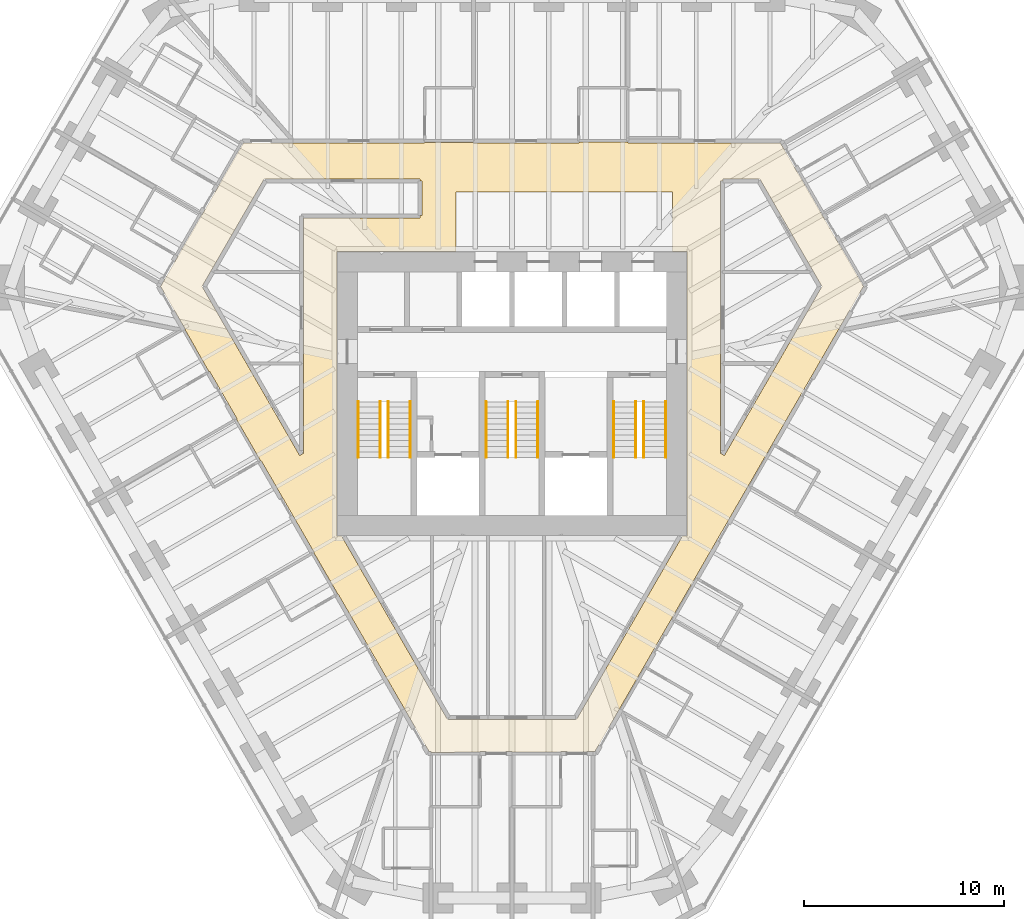
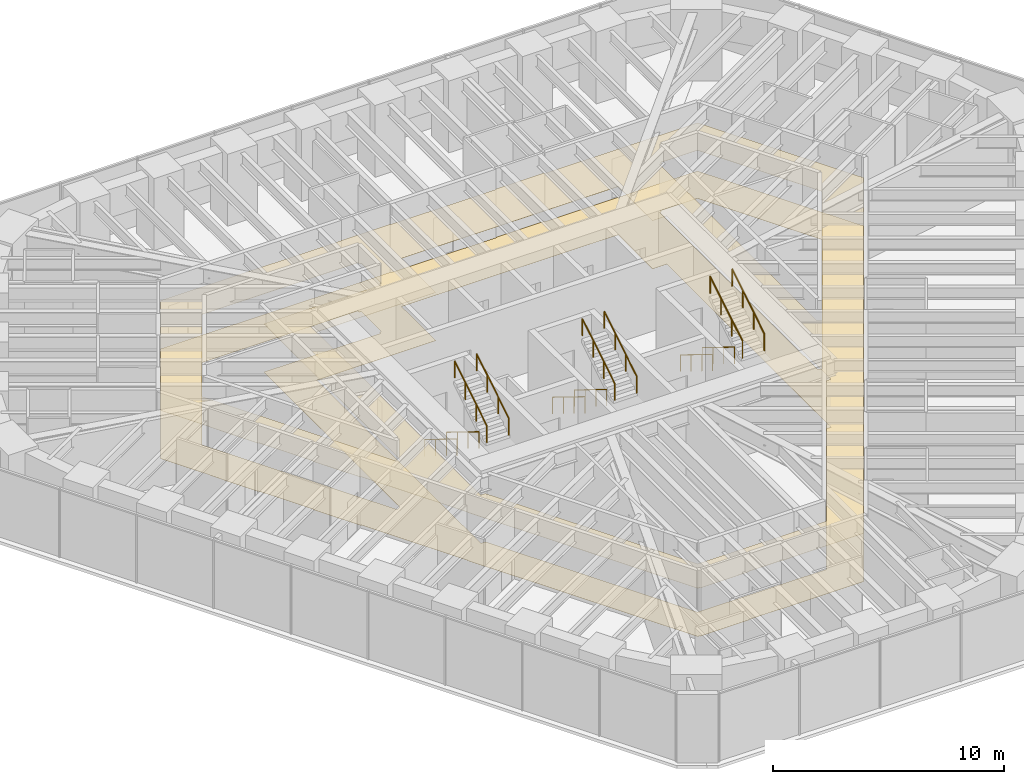
# One storey, part 17 of 17: 12 railings, 2 coverings.
"""IFC4 building model written with IfcOpenShell, lengths in metres."""

from ifc_helpers import new_model, si_unit, direction, frame, origin, origin_2d, place, context, subcontext, project, spatial, polyline, circle, outline, extrude, material, layer, layer_set, type_object, element, save


model = new_model("IFC4")

# Units and contexts
model_context = context("Model", 3, precision=1e-05, world=origin(), true_north=direction((0.0, 1.0)))
body_context = subcontext(model_context, "Body", "Model", "MODEL_VIEW")
ifc_project = project(units=[si_unit("LENGTHUNIT", "METRE"), si_unit("AREAUNIT", "SQUARE_METRE"), si_unit("VOLUMEUNIT", "CUBIC_METRE"), si_unit("PLANEANGLEUNIT", "RADIAN"), si_unit("MASSUNIT", "GRAM", prefix="KILO")], contexts=[model_context])

# Site, building, storey
site_placement = place(None, origin())
site = spatial("IfcSite", under=ifc_project, at=site_placement, CompositionType="ELEMENT")
building_placement = place(site_placement, origin())
building = spatial("IfcBuilding", under=site, at=building_placement, Name="Sandreach Pilgrim Tower", CompositionType="ELEMENT")
storey_placement = place(building_placement, frame((0.0, 0.0, 194.60009765625)))
storey = spatial("IfcBuildingStorey", under=building, at=storey_placement, Name="L48", CompositionType="ELEMENT", Elevation=194.60009765625)

# Coverings
ifc_material_1 = material(Name="Nylon carpet tile on the slab", Category="textile")
ifc_layer_1 = layer(ifc_material_1, 0.008056640625)
ifc_layer_set_1 = layer_set([ifc_layer_1], Name="Carpet tile")
covering_type_1 = type_object("IfcCoveringType", Name="Carpet tile", PredefinedType="FLOORING", material=ifc_layer_set_1)
covering_1_placement = place(storey_placement, origin())
element("IfcCovering", 1, at=covering_1_placement, inside=storey, type_object=covering_type_1, Name="Floor finish 48C Corridor 48", PredefinedType="FLOORING", context=body_context, shape_type="SweptSolid", body=[
    extrude(outline(polyline([(-17.60302734375, 5.3671875), (-13.445068359375, 12.56005859375), (-4.3798828125, 12.56005859375), (-4.3798828125, 12.578857421875), (-1.929931640625, 12.583984375), (-1.929931640625, 12.56005859375), (3.35009765625, 12.56005859375), (3.35009765625, 12.594970703125), (5.800048828125, 12.60009765625), (5.800048828125, 12.56005859375), (13.442138671875, 12.56005859375), (17.60302734375, 5.3671875), (4.15234375, -17.929931640625), (0.0, -17.9501953125), (0.0, -17.929931640625), (-1.60009765625, -17.929931640625), (-1.60009765625, -17.9580078125), (-4.050048828125, -17.969970703125), (-4.050048828125, -17.929931640625), (-4.15234375, -17.929931640625), (-8.715576171875, -10.03125), (-8.727294921875, -10.037841796875), (-9.931396484375, -7.96044921875), (-9.913330078125, -7.949951171875), (-12.573486328125, -3.340087890625), (-12.600830078125, -3.35595703125), (-13.80517578125, -1.2783203125), (-13.7734375, -1.260009765625), (-15.143310546875, 1.110107421875), (-15.177978515625, 1.090087890625), (-16.380126953125, 3.210205078125), (-16.36328125, 3.219970703125), (-17.60302734375, 5.3671875)]), holes=[polyline([(10.449951171875, 10.659912109375), (10.449951171875, -2.9921875), (10.63671875, -3.10009765625), (15.525634765625, 5.370361328125), (12.40771484375, 10.760009765625), (10.56005859375, 10.760009765625), (10.56005859375, 10.66015625), (10.449951171875, 10.659912109375)]), polyline([(-3.227783203125, -16.330078125), (3.227783203125, -16.330078125), (8.542724609375, -7.1201171875), (8.77001953125, -7.1201171875), (8.77001953125, 7.1201171875), (8.050048828125, 7.1201171875), (8.050048828125, 10.10009765625), (-2.800048828125, 10.10009765625), (-2.800048828125, 7.1201171875), (-8.77001953125, 7.1201171875), (-8.77001953125, -7.1201171875), (-8.542724609375, -7.1201171875), (-3.227783203125, -16.330078125)]), polyline([(-15.525634765625, 5.370361328125), (-10.636474609375, -3.10009765625), (-10.449951171875, -2.9921875), (-10.449951171875, 8.800048828125), (-4.60009765625, 8.800048828125), (-4.60009765625, 8.909912109375), (-4.5, 8.909912109375), (-4.5, 10.64990234375), (-4.60009765625, 10.64990234375), (-4.60009765625, 10.760009765625), (-12.40771484375, 10.760009765625), (-15.525634765625, 5.370361328125)])]), origin(), (0.0, 0.0, 1.0), 0.0078125),
])
ifc_material_2 = material(Name="Gypsum board suspended ceiling on a steel grid", Category="steel")
ifc_layer_2 = layer(ifc_material_2, 0.012939453125)
ifc_layer_set_2 = layer_set([ifc_layer_2], Name="Gypsum board suspended ceiling")
covering_type_2 = type_object("IfcCoveringType", Name="Gypsum board suspended ceiling", PredefinedType="CEILING", material=ifc_layer_set_2)
covering_2_placement = place(storey_placement, frame((0.0, 0.0, 2.5498046875)))
element("IfcCovering", 2, at=covering_2_placement, inside=storey, type_object=covering_type_2, Name="Ceiling 48C Corridor 48", PredefinedType="CEILING", context=body_context, shape_type="SweptSolid", body=[
    extrude(outline(polyline([(-17.60302734375, 5.3671875), (-13.445068359375, 12.56005859375), (-4.3798828125, 12.56005859375), (-4.3798828125, 12.578857421875), (-1.929931640625, 12.583984375), (-1.929931640625, 12.56005859375), (3.35009765625, 12.56005859375), (3.35009765625, 12.594970703125), (5.800048828125, 12.60009765625), (5.800048828125, 12.56005859375), (13.442138671875, 12.56005859375), (17.60302734375, 5.3671875), (4.15234375, -17.929931640625), (0.0, -17.9501953125), (0.0, -17.929931640625), (-1.60009765625, -17.929931640625), (-1.60009765625, -17.9580078125), (-4.050048828125, -17.969970703125), (-4.050048828125, -17.929931640625), (-4.15234375, -17.929931640625), (-8.715576171875, -10.03125), (-8.727294921875, -10.037841796875), (-9.931396484375, -7.96044921875), (-9.913330078125, -7.949951171875), (-12.573486328125, -3.340087890625), (-12.600830078125, -3.35595703125), (-13.80517578125, -1.2783203125), (-13.7734375, -1.260009765625), (-15.143310546875, 1.110107421875), (-15.177978515625, 1.090087890625), (-16.380126953125, 3.210205078125), (-16.36328125, 3.219970703125), (-17.60302734375, 5.3671875)]), holes=[polyline([(10.449951171875, 10.659912109375), (10.449951171875, -2.9921875), (10.63671875, -3.10009765625), (15.525634765625, 5.370361328125), (12.40771484375, 10.760009765625), (10.56005859375, 10.760009765625), (10.56005859375, 10.66015625), (10.449951171875, 10.659912109375)]), polyline([(-3.227783203125, -16.330078125), (3.227783203125, -16.330078125), (8.542724609375, -7.1201171875), (8.77001953125, -7.1201171875), (8.77001953125, 7.1201171875), (8.050048828125, 7.1201171875), (8.050048828125, 10.10009765625), (-2.800048828125, 10.10009765625), (-2.800048828125, 7.1201171875), (-8.77001953125, 7.1201171875), (-8.77001953125, -7.1201171875), (-8.542724609375, -7.1201171875), (-3.227783203125, -16.330078125)]), polyline([(-15.525634765625, 5.370361328125), (-10.636474609375, -3.10009765625), (-10.449951171875, -2.9921875), (-10.449951171875, 8.800048828125), (-4.60009765625, 8.800048828125), (-4.60009765625, 8.909912109375), (-4.5, 8.909912109375), (-4.5, 10.64990234375), (-4.60009765625, 10.64990234375), (-4.60009765625, 10.760009765625), (-12.40771484375, 10.760009765625), (-15.525634765625, 5.370361328125)])]), origin(), (0.0, 0.0, 1.0), 0.01318359375),
])

# Railings
ifc_material_3 = material(Name="Stainless steel tube", Category="steel")
railing_type = type_object("IfcRailingType", Name="Stair handrail", PredefinedType="HANDRAIL", material=ifc_material_3)
for number, where, name in (
    (3, (-6.60009765625, -0.39990234375, 0.172607421875), "Handrail ST1 L48 flight 1"),
    (4, (-7.699951171875, -0.39990234375, 0.172607421875), "Handrail ST1 L48 flight 1"),
):
    element("IfcRailing", number, at=place(storey_placement, frame(where)), inside=storey, type_object=railing_type, Name=name, PredefinedType="HANDRAIL", context=body_context, shape_type="SweptSolid", body=[
        extrude(circle(Radius=0.02392578125, at=origin_2d()), frame((0.0, 0.0, 0.8759765625), z_axis=(0.0, -0.851089632645, 0.525020415988), x_axis=(1.0, 0.0, 0.0)), (0.0, 0.0, 1.0), 3.2900390625),
        extrude(circle(Radius=0.02099609375, at=origin_2d()), origin(), (0.0, 0.0, 1.0), 0.851806640625),
        extrude(circle(Radius=0.02099609375, at=origin_2d()), frame((0.0, -0.933349609375, 0.57568359375)), (0.0, 0.0, 1.0), 0.851806640625),
        extrude(circle(Radius=0.02099609375, at=origin_2d()), frame((0.0, -1.86669921875, 1.151611328125)), (0.0, 0.0, 1.0), 0.851806640625),
        extrude(circle(Radius=0.02099609375, at=origin_2d()), frame((0.0, -2.800048828125, 1.727294921875)), (0.0, 0.0, 1.0), 0.851806640625),
    ])
for number, where, name in (
    (5, (-6.199951171875, -3.199951171875, 2.072509765625), "Handrail ST1 L48 flight 2"),
    (6, (-5.10009765625, -3.199951171875, 2.072509765625), "Handrail ST1 L48 flight 2"),
):
    element("IfcRailing", number, at=place(storey_placement, frame(where)), inside=storey, type_object=railing_type, Name=name, PredefinedType="HANDRAIL", context=body_context, shape_type="SweptSolid", body=[
        extrude(circle(Radius=0.02392578125, at=origin_2d()), frame((0.0, 0.0, 0.8759765625), z_axis=(0.0, 0.851089632645, 0.525020415988), x_axis=(-1.0, 0.0, 0.0)), (0.0, 0.0, 1.0), 3.2900390625),
        extrude(circle(Radius=0.02099609375, at=origin_2d()), origin(), (0.0, 0.0, 1.0), 0.851806640625),
        extrude(circle(Radius=0.02099609375, at=origin_2d()), frame((0.0, 0.933349609375, 0.57568359375)), (0.0, 0.0, 1.0), 0.851806640625),
        extrude(circle(Radius=0.02099609375, at=origin_2d()), frame((0.0, 1.86669921875, 1.151611328125)), (0.0, 0.0, 1.0), 0.851806640625),
        extrude(circle(Radius=0.02099609375, at=origin_2d()), frame((0.0, 2.800048828125, 1.727294921875)), (0.0, 0.0, 1.0), 0.851806640625),
    ])
for number, where, name in (
    (7, (-0.199951171875, -0.39990234375, 0.172607421875), "Handrail ST3 L48 flight 1"),
    (8, (-1.300048828125, -0.39990234375, 0.172607421875), "Handrail ST3 L48 flight 1"),
):
    element("IfcRailing", number, at=place(storey_placement, frame(where)), inside=storey, type_object=railing_type, Name=name, PredefinedType="HANDRAIL", context=body_context, shape_type="SweptSolid", body=[
        extrude(circle(Radius=0.02392578125, at=origin_2d()), frame((0.0, 0.0, 0.8759765625), z_axis=(0.0, -0.851089632645, 0.525020415988), x_axis=(1.0, 0.0, 0.0)), (0.0, 0.0, 1.0), 3.2900390625),
        extrude(circle(Radius=0.02099609375, at=origin_2d()), origin(), (0.0, 0.0, 1.0), 0.851806640625),
        extrude(circle(Radius=0.02099609375, at=origin_2d()), frame((0.0, -0.933349609375, 0.57568359375)), (0.0, 0.0, 1.0), 0.851806640625),
        extrude(circle(Radius=0.02099609375, at=origin_2d()), frame((0.0, -1.86669921875, 1.151611328125)), (0.0, 0.0, 1.0), 0.851806640625),
        extrude(circle(Radius=0.02099609375, at=origin_2d()), frame((0.0, -2.800048828125, 1.727294921875)), (0.0, 0.0, 1.0), 0.851806640625),
    ])
for number, where, name in (
    (9, (0.199951171875, -3.199951171875, 2.072509765625), "Handrail ST3 L48 flight 2"),
    (10, (1.300048828125, -3.199951171875, 2.072509765625), "Handrail ST3 L48 flight 2"),
):
    element("IfcRailing", number, at=place(storey_placement, frame(where)), inside=storey, type_object=railing_type, Name=name, PredefinedType="HANDRAIL", context=body_context, shape_type="SweptSolid", body=[
        extrude(circle(Radius=0.02392578125, at=origin_2d()), frame((0.0, 0.0, 0.8759765625), z_axis=(0.0, 0.851089632645, 0.525020415988), x_axis=(-1.0, 0.0, 0.0)), (0.0, 0.0, 1.0), 3.2900390625),
        extrude(circle(Radius=0.02099609375, at=origin_2d()), origin(), (0.0, 0.0, 1.0), 0.851806640625),
        extrude(circle(Radius=0.02099609375, at=origin_2d()), frame((0.0, 0.933349609375, 0.57568359375)), (0.0, 0.0, 1.0), 0.851806640625),
        extrude(circle(Radius=0.02099609375, at=origin_2d()), frame((0.0, 1.86669921875, 1.151611328125)), (0.0, 0.0, 1.0), 0.851806640625),
        extrude(circle(Radius=0.02099609375, at=origin_2d()), frame((0.0, 2.800048828125, 1.727294921875)), (0.0, 0.0, 1.0), 0.851806640625),
    ])
for number, where, name in (
    (11, (6.199951171875, -0.39990234375, 0.172607421875), "Handrail ST2 L48 flight 1"),
    (12, (5.10009765625, -0.39990234375, 0.172607421875), "Handrail ST2 L48 flight 1"),
):
    element("IfcRailing", number, at=place(storey_placement, frame(where)), inside=storey, type_object=railing_type, Name=name, PredefinedType="HANDRAIL", context=body_context, shape_type="SweptSolid", body=[
        extrude(circle(Radius=0.02392578125, at=origin_2d()), frame((0.0, 0.0, 0.8759765625), z_axis=(0.0, -0.851089632645, 0.525020415988), x_axis=(1.0, 0.0, 0.0)), (0.0, 0.0, 1.0), 3.2900390625),
        extrude(circle(Radius=0.02099609375, at=origin_2d()), origin(), (0.0, 0.0, 1.0), 0.851806640625),
        extrude(circle(Radius=0.02099609375, at=origin_2d()), frame((0.0, -0.933349609375, 0.57568359375)), (0.0, 0.0, 1.0), 0.851806640625),
        extrude(circle(Radius=0.02099609375, at=origin_2d()), frame((0.0, -1.86669921875, 1.151611328125)), (0.0, 0.0, 1.0), 0.851806640625),
        extrude(circle(Radius=0.02099609375, at=origin_2d()), frame((0.0, -2.800048828125, 1.727294921875)), (0.0, 0.0, 1.0), 0.851806640625),
    ])
for number, where, name in (
    (13, (6.60009765625, -3.199951171875, 2.072509765625), "Handrail ST2 L48 flight 2"),
    (14, (7.699951171875, -3.199951171875, 2.072509765625), "Handrail ST2 L48 flight 2"),
):
    element("IfcRailing", number, at=place(storey_placement, frame(where)), inside=storey, type_object=railing_type, Name=name, PredefinedType="HANDRAIL", context=body_context, shape_type="SweptSolid", body=[
        extrude(circle(Radius=0.02392578125, at=origin_2d()), frame((0.0, 0.0, 0.8759765625), z_axis=(0.0, 0.851089632645, 0.525020415988), x_axis=(-1.0, 0.0, 0.0)), (0.0, 0.0, 1.0), 3.2900390625),
        extrude(circle(Radius=0.02099609375, at=origin_2d()), origin(), (0.0, 0.0, 1.0), 0.851806640625),
        extrude(circle(Radius=0.02099609375, at=origin_2d()), frame((0.0, 0.933349609375, 0.57568359375)), (0.0, 0.0, 1.0), 0.851806640625),
        extrude(circle(Radius=0.02099609375, at=origin_2d()), frame((0.0, 1.86669921875, 1.151611328125)), (0.0, 0.0, 1.0), 0.851806640625),
        extrude(circle(Radius=0.02099609375, at=origin_2d()), frame((0.0, 2.800048828125, 1.727294921875)), (0.0, 0.0, 1.0), 0.851806640625),
    ])

save(model, "model.ifc")
